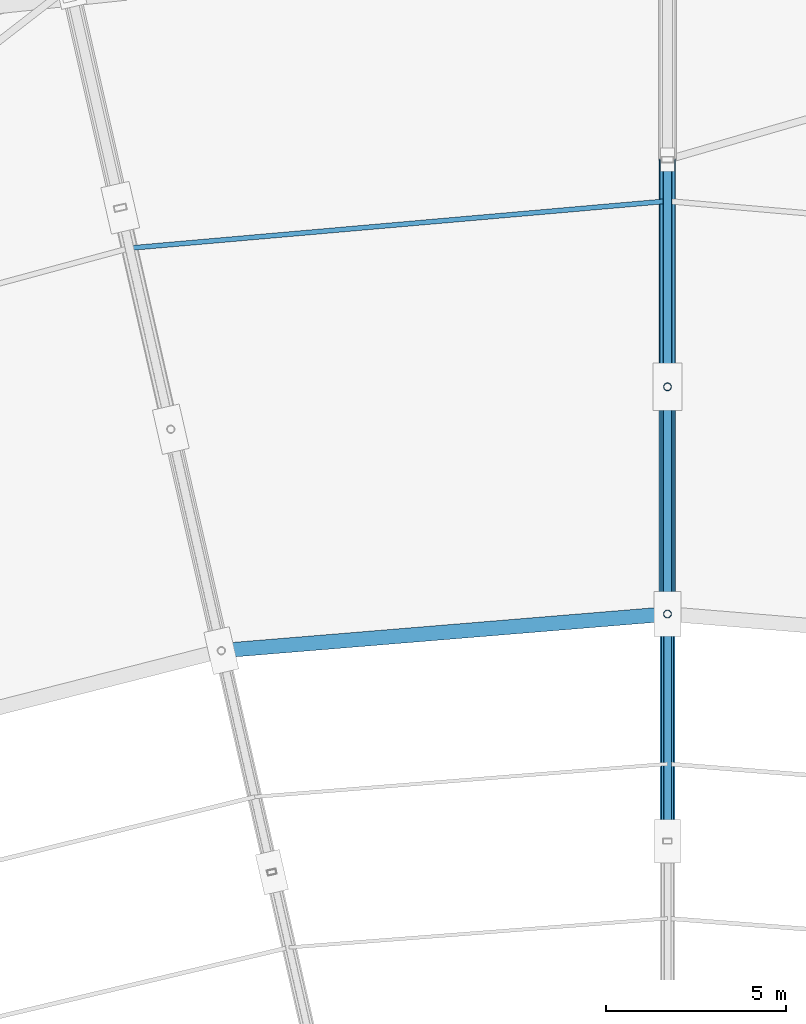
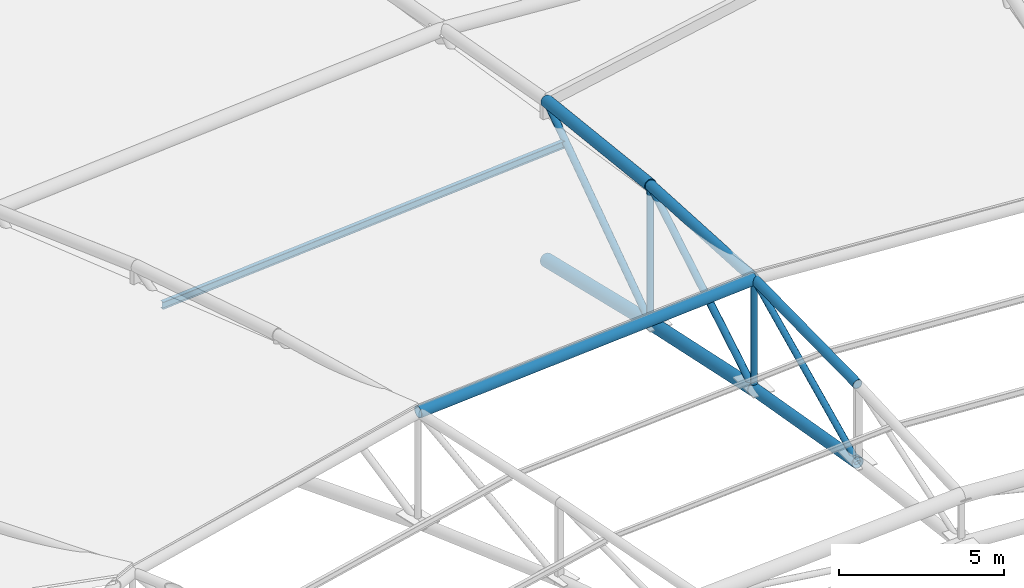
# One storey, part 50 of 108: 13 members.
"""IFC4 building model written with IfcOpenShell, lengths in metres."""

from ifc_helpers import new_model, si_unit, direction, frame, origin, origin_2d, place, context, subcontext, project, spatial, hollow_circle, i_section, extrude, material, material_profile, profile_set, type_object, element, save


model = new_model("IFC4")

# Units and contexts
model_context = context("Model", 3, precision=1e-05, world=origin(), true_north=direction((0.0, 1.0)))
body_context = subcontext(model_context, "Body", "Model", "MODEL_VIEW")
ifc_project = project(units=[si_unit("LENGTHUNIT", "METRE"), si_unit("AREAUNIT", "SQUARE_METRE"), si_unit("VOLUMEUNIT", "CUBIC_METRE"), si_unit("PLANEANGLEUNIT", "RADIAN"), si_unit("MASSUNIT", "GRAM", prefix="KILO")], contexts=[model_context])

# Site, building, storey
site_placement = place(None, origin())
site = spatial("IfcSite", under=ifc_project, at=site_placement, CompositionType="ELEMENT")
building_placement = place(site_placement, origin())
building = spatial("IfcBuilding", under=site, at=building_placement, Name="Zevraka Park Crest Stadium", CompositionType="ELEMENT")
storey_placement = place(building_placement, frame((0.0, 0.0, 29.39990234375)))
storey = spatial("IfcBuildingStorey", under=building, at=storey_placement, Name="RF", CompositionType="ELEMENT", Elevation=29.39990234375)

# Members
ifc_material_1 = material(Name="Steel S355", Category="steel")
ifc_material_profile_1 = material_profile(ifc_material_1, i_section(OverallWidth=0.135009765625, OverallDepth=0.27001953125, WebThickness=0.006591796875, FlangeThickness=0.01025390625, at=origin_2d()), Name="IPE 270")
ifc_profile_set_1 = profile_set([ifc_material_profile_1], Name="Steel S355")
member_type_1 = type_object("IfcMemberType", Name="PR04", PredefinedType="PURLIN", material=ifc_profile_set_1)
member_1_placement = place(storey_placement, frame((112.0, 144.051025390625, 7.488037109375), z_axis=(-0.996196972485, -0.087129742406, 0.0), x_axis=(0.087129742406, -0.996196972485, 0.0)))
element("IfcMember", 1, at=member_1_placement, inside=storey, type_object=member_type_1, Name="Canopy Roof Purlin PR04 OUTER-08-2", PredefinedType="PURLIN", context=body_context, shape_type="SweptSolid", body=[
    extrude(i_section(OverallWidth=0.135009765625, OverallDepth=0.27001953125, WebThickness=0.006591796875, FlangeThickness=0.01025390625, at=origin_2d()), origin(), (0.0, 0.0, 1.0), 14.976806640625),
])
ifc_material_2 = material(Name="Steel S355", Category="steel")
ifc_material_profile_2 = material_profile(ifc_material_2, hollow_circle(Radius=0.228515625, WallThickness=0.02490234375, at=origin_2d()), Name="CHS 457.0x25")
ifc_profile_set_2 = profile_set([ifc_material_profile_2], Name="Steel S355")
member_type_2 = type_object("IfcMemberType", Name="TC02", PredefinedType="CHORD", material=ifc_profile_set_2)
member_2_placement = place(storey_placement, frame((112.0, 145.199951171875, 2.4501953125), z_axis=(0.0, -0.972806619173, 0.231618828452), x_axis=(1.0, 0.0, 0.0)))
element("IfcMember", 2, at=member_2_placement, inside=storey, type_object=member_type_2, Name="Roof Truss Bottom Chord TC02 T08-4", PredefinedType="CHORD", context=body_context, shape_type="SweptSolid", body=[
    extrude(hollow_circle(Radius=0.228515625, WallThickness=0.02490234375, at=origin_2d()), origin(), (0.0, 0.0, 1.0), 6.47607421875),
])
member_3_placement = place(storey_placement, frame((112.0, 138.89990234375, 3.9501953125), z_axis=(0.0, -0.977805741195, 0.209513561582), x_axis=(1.0, 0.0, 0.0)))
element("IfcMember", 3, at=member_3_placement, inside=storey, type_object=member_type_2, Name="Roof Truss Bottom Chord TC02 T08-5", PredefinedType="CHORD", context=body_context, shape_type="SweptSolid", body=[
    extrude(hollow_circle(Radius=0.228515625, WallThickness=0.02490234375, at=origin_2d()), origin(), (0.0, 0.0, 1.0), 6.44287109375),
])
ifc_material_3 = material(Name="Steel S355", Category="steel")
ifc_material_profile_3 = material_profile(ifc_material_3, hollow_circle(Radius=0.203125, WallThickness=0.02001953125, at=origin_2d()), Name="CHS 406.4x20")
ifc_profile_set_3 = profile_set([ifc_material_profile_3], Name="Steel S355")
member_type_3 = type_object("IfcMemberType", Name="TC03", PredefinedType="CHORD", material=ifc_profile_set_3)
member_4_placement = place(storey_placement, frame((112.0, 145.199951171875, 8.35009765625), z_axis=(0.0, -0.993884674033, 0.110423071515), x_axis=(1.0, 0.0, 0.0)))
element("IfcMember", 4, at=member_4_placement, inside=storey, type_object=member_type_3, Name="Roof Truss Top Chord TC03 T08-4", PredefinedType="CHORD", context=body_context, shape_type="SweptSolid", body=[
    extrude(hollow_circle(Radius=0.203125, WallThickness=0.02001953125, at=origin_2d()), origin(), (0.0, 0.0, 1.0), 6.3388671875),
])
member_5_placement = place(storey_placement, frame((112.0, 132.60009765625, 5.300048828125), z_axis=(0.0, -0.985094409339, 0.172014547897), x_axis=(1.0, 0.0, 0.0)))
element("IfcMember", 5, at=member_5_placement, inside=storey, type_object=member_type_3, Name="Roof Truss Bottom Chord TC03 T08-6", PredefinedType="CHORD", context=body_context, shape_type="SweptSolid", body=[
    extrude(hollow_circle(Radius=0.203125, WallThickness=0.02001953125, at=origin_2d()), origin(), (0.0, 0.0, 1.0), 6.395263671875),
])
member_6_placement = place(storey_placement, frame((112.0, 132.60009765625, 9.400146484375), z_axis=(-0.996631482992, -0.082010286607, 0.0), x_axis=(0.082010286607, -0.996631482992, 0.0)))
element("IfcMember", 6, at=member_6_placement, inside=storey, type_object=member_type_3, Name="Roof Canopy Arch Crown Ring Chord TC03 08", PredefinedType="CHORD", context=body_context, shape_type="SweptSolid", body=[
    extrude(hollow_circle(Radius=0.203125, WallThickness=0.02001953125, at=origin_2d()), origin(), (0.0, 0.0, 1.0), 12.413818359375),
])
ifc_material_4 = material(Name="Steel S355", Category="steel")
ifc_material_profile_4 = material_profile(ifc_material_4, hollow_circle(Radius=0.161865234375, WallThickness=0.01611328125, at=origin_2d()), Name="CHS 323.9x16")
ifc_profile_set_4 = profile_set([ifc_material_profile_4], Name="Steel S355")
member_type_4 = type_object("IfcMemberType", Name="TC04", PredefinedType="CHORD", material=ifc_profile_set_4)
member_7_placement = place(storey_placement, frame((112.0, 132.60009765625, 9.400146484375), z_axis=(0.0, -0.999873803365, -0.01588638866), x_axis=(1.0, 0.0, 0.0)))
element("IfcMember", 7, at=member_7_placement, inside=storey, type_object=member_type_4, Name="Roof Truss Top Chord TC04 T08-6", PredefinedType="CHORD", context=body_context, shape_type="SweptSolid", body=[
    extrude(hollow_circle(Radius=0.161865234375, WallThickness=0.01611328125, at=origin_2d()), origin(), (0.0, 0.0, 1.0), 6.30078125),
])
ifc_material_5 = material(Name="Steel S355", Category="steel")
ifc_material_profile_5 = material_profile(ifc_material_5, hollow_circle(Radius=0.177734375, WallThickness=0.01611328125, at=origin_2d()), Name="CHS 355.6x16")
ifc_profile_set_5 = profile_set([ifc_material_profile_5], Name="Steel S355")
member_type_5 = type_object("IfcMemberType", Name="TC05", PredefinedType="CHORD", material=ifc_profile_set_5)
member_8_placement = place(storey_placement, frame((112.0, 138.89990234375, 9.050048828125), z_axis=(0.0, -0.998459400591, 0.055487164023), x_axis=(1.0, 0.0, 0.0)))
element("IfcMember", 8, at=member_8_placement, inside=storey, type_object=member_type_5, Name="Roof Truss Top Chord TC05 T08-5", PredefinedType="CHORD", context=body_context, shape_type="SweptSolid", body=[
    extrude(hollow_circle(Radius=0.177734375, WallThickness=0.01611328125, at=origin_2d()), origin(), (0.0, 0.0, 1.0), 6.3095703125),
])
ifc_material_6 = material(Name="Steel S355", Category="steel")
ifc_material_profile_6 = material_profile(ifc_material_6, hollow_circle(Radius=0.109619140625, WallThickness=0.010009765625, at=origin_2d()), Name="CHS 219.1x10")
ifc_profile_set_6 = profile_set([ifc_material_profile_6], Name="Steel S355")
member_type_6 = type_object("IfcMemberType", Name="WB02", PredefinedType="BRACE", material=ifc_profile_set_6)
member_9_placement = place(storey_placement, frame((112.0, 138.89990234375, 3.9501953125), z_axis=(0.0, 0.0, 1.0), x_axis=(0.0, 1.0, 0.0)))
element("IfcMember", 9, at=member_9_placement, inside=storey, type_object=member_type_6, Name="Roof Truss Web Post WB02 T08-4", PredefinedType="BRACE", context=body_context, shape_type="SweptSolid", body=[
    extrude(hollow_circle(Radius=0.109619140625, WallThickness=0.010009765625, at=origin_2d()), origin(), (0.0, 0.0, 1.0), 5.099853515625),
])
member_10_placement = place(storey_placement, frame((112.0, 132.60009765625, 5.300048828125), z_axis=(0.0, 0.0, 1.0), x_axis=(0.0, 1.0, 0.0)))
element("IfcMember", 10, at=member_10_placement, inside=storey, type_object=member_type_6, Name="Roof Truss Web Post WB02 T08-5", PredefinedType="BRACE", context=body_context, shape_type="SweptSolid", body=[
    extrude(hollow_circle(Radius=0.109619140625, WallThickness=0.010009765625, at=origin_2d()), origin(), (0.0, 0.0, 1.0), 4.10009765625),
])
member_11_placement = place(storey_placement, frame((112.0, 126.300048828125, 6.400146484375), z_axis=(0.0, 0.902861812271, 0.429930864142), x_axis=(-1.0, 0.0, 0.0)))
element("IfcMember", 11, at=member_11_placement, inside=storey, type_object=member_type_6, Name="Roof Truss Web Diagonal WB02 T08-6", PredefinedType="BRACE", context=body_context, shape_type="SweptSolid", body=[
    extrude(hollow_circle(Radius=0.109619140625, WallThickness=0.010009765625, at=origin_2d()), origin(), (0.0, 0.0, 1.0), 6.977783203125),
])
ifc_material_7 = material(Name="Steel S355", Category="steel")
ifc_material_profile_7 = material_profile(ifc_material_7, hollow_circle(Radius=0.122314453125, WallThickness=0.012451171875, at=origin_2d()), Name="CHS 244.5x12.5")
ifc_profile_set_7 = profile_set([ifc_material_profile_7], Name="Steel S355")
member_type_7 = type_object("IfcMemberType", Name="WB07", PredefinedType="BRACE", material=ifc_profile_set_7)
member_12_placement = place(storey_placement, frame((112.0, 138.89990234375, 3.9501953125), z_axis=(0.0, 0.819850870655, 0.572577112612), x_axis=(-1.0, 0.0, 0.0)))
element("IfcMember", 12, at=member_12_placement, inside=storey, type_object=member_type_7, Name="Roof Truss Web Diagonal WB07 T08-4", PredefinedType="BRACE", context=body_context, shape_type="SweptSolid", body=[
    extrude(hollow_circle(Radius=0.122314453125, WallThickness=0.012451171875, at=origin_2d()), origin(), (0.0, 0.0, 1.0), 7.684326171875),
])
member_13_placement = place(storey_placement, frame((112.0, 132.60009765625, 5.300048828125), z_axis=(0.0, 0.859285914784, 0.511495568558), x_axis=(-1.0, 0.0, 0.0)))
element("IfcMember", 13, at=member_13_placement, inside=storey, type_object=member_type_7, Name="Roof Truss Web Diagonal WB07 T08-5", PredefinedType="BRACE", context=body_context, shape_type="SweptSolid", body=[
    extrude(hollow_circle(Radius=0.122314453125, WallThickness=0.012451171875, at=origin_2d()), origin(), (0.0, 0.0, 1.0), 7.33154296875),
])

save(model, "model.ifc")
